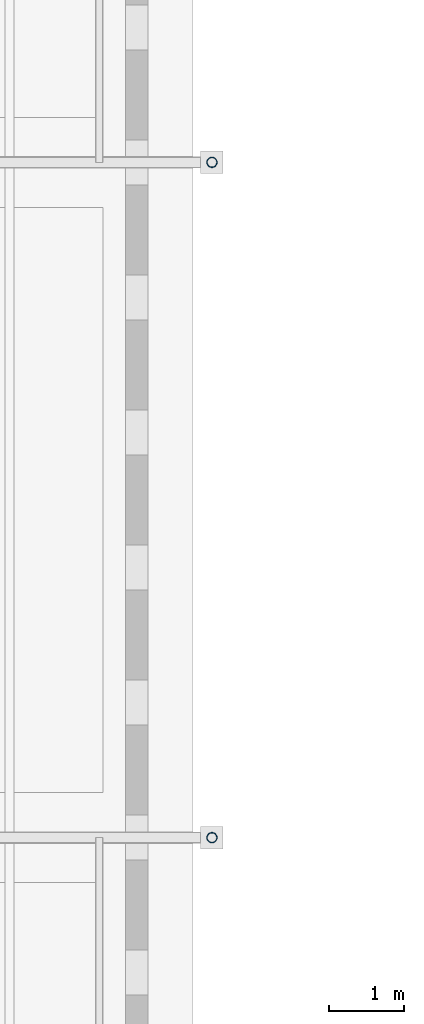
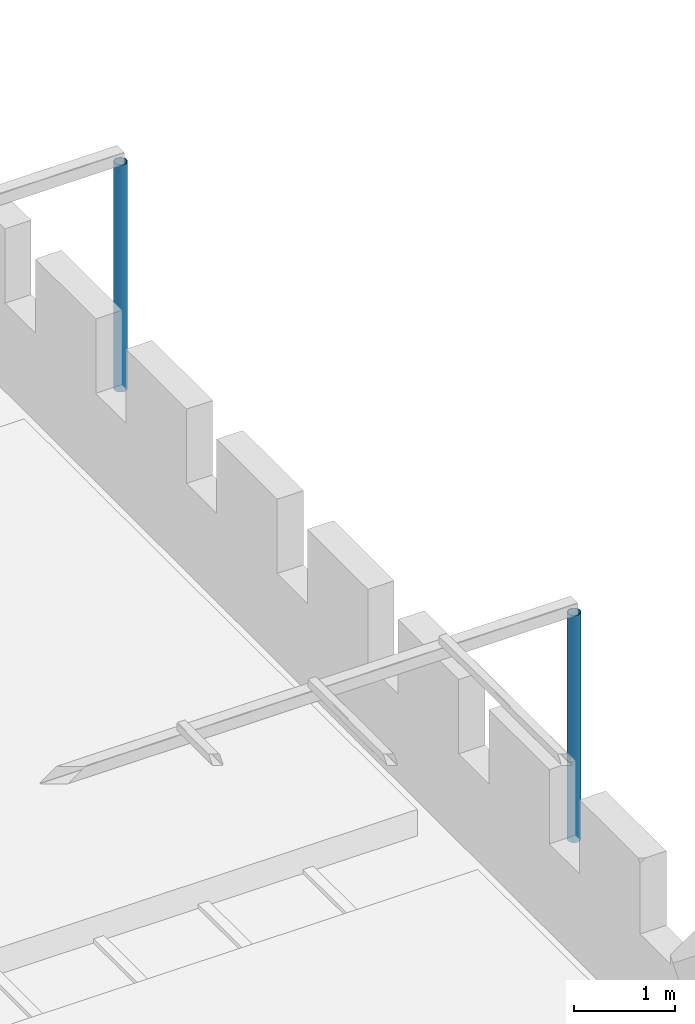
# One storey, part 3 of 37: 2 columns.
"""IFC4 building model written with IfcOpenShell, lengths in metres."""

from ifc_helpers import new_model, si_unit, direction, frame, origin, origin_2d, place, context, subcontext, project, spatial, hollow_circle, extrude, material, material_profile, profile_set, type_object, element, save


model = new_model("IFC4")

# Units and contexts
model_context = context("Model", 3, precision=1e-05, world=origin(), true_north=direction((0.0, 1.0)))
body_context = subcontext(model_context, "Body", "Model", "MODEL_VIEW")
ifc_project = project(units=[si_unit("LENGTHUNIT", "METRE"), si_unit("AREAUNIT", "SQUARE_METRE"), si_unit("VOLUMEUNIT", "CUBIC_METRE"), si_unit("PLANEANGLEUNIT", "RADIAN"), si_unit("MASSUNIT", "GRAM", prefix="KILO")], contexts=[model_context])

# Site, building, storey
site_placement = place(None, origin())
site = spatial("IfcSite", under=ifc_project, at=site_placement, CompositionType="ELEMENT")
building_placement = place(site_placement, origin())
building = spatial("IfcBuilding", under=site, at=building_placement, Name="Baradari Gate Terminus", CompositionType="ELEMENT")
storey_placement = place(building_placement, frame((0.0, 0.0, 24.300048828125)))
storey = spatial("IfcBuildingStorey", under=building, at=storey_placement, Name="L05", CompositionType="ELEMENT", Elevation=24.300048828125)

# Columns
ifc_material = material(Name="Steel S355", Category="steel")
ifc_material_profile = material_profile(ifc_material, hollow_circle(Radius=0.06982421875, WallThickness=0.008056640625, at=origin_2d()), Name="CHS 139.7x8")
ifc_profile_set = profile_set([ifc_material_profile], Name="Steel S355")
column_type = type_object("IfcColumnType", Name="Pergola post CHS 139.7x8", PredefinedType="COLUMN", material=ifc_profile_set)
for number, where, z_axis, x_axis, name in (
    (1, (90.0, 45.0, -0.150146484375), (0.0, 0.0, 1.0), (1.0, 0.0, 0.0), "RF/L05/PGG1-PGC3"),
    (2, (90.0, 54.0, -0.150146484375), (0.0, 0.0, 1.0), (1.0, 0.0, 0.0), "RF/L05/PGG2-PGC2"),
):
    element("IfcColumn", number, at=place(storey_placement, frame(where, z_axis=z_axis, x_axis=x_axis)), inside=storey, type_object=column_type, Name=name, PredefinedType="COLUMN", context=body_context, shape_type="SweptSolid", body=[
        extrude(hollow_circle(Radius=0.06982421875, WallThickness=0.008056640625, at=origin_2d()), origin(), (0.0, 0.0, 1.0), 2.75),
    ])

save(model, "model.ifc")
